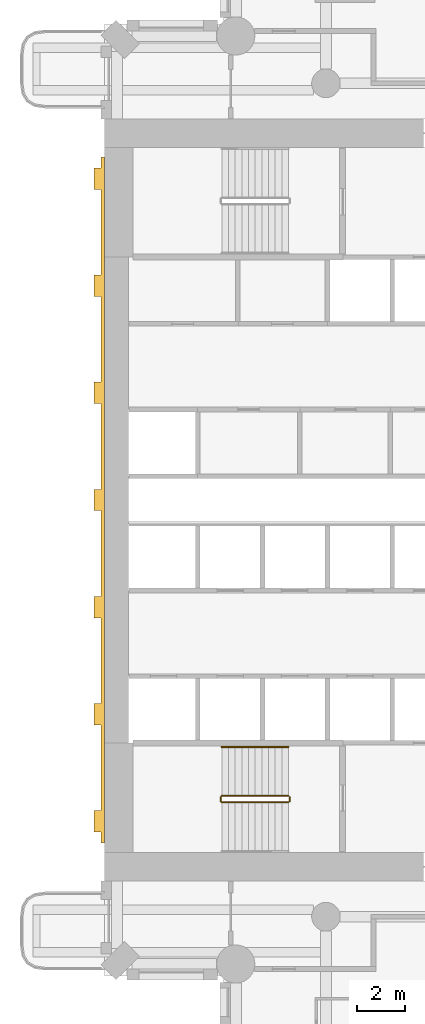
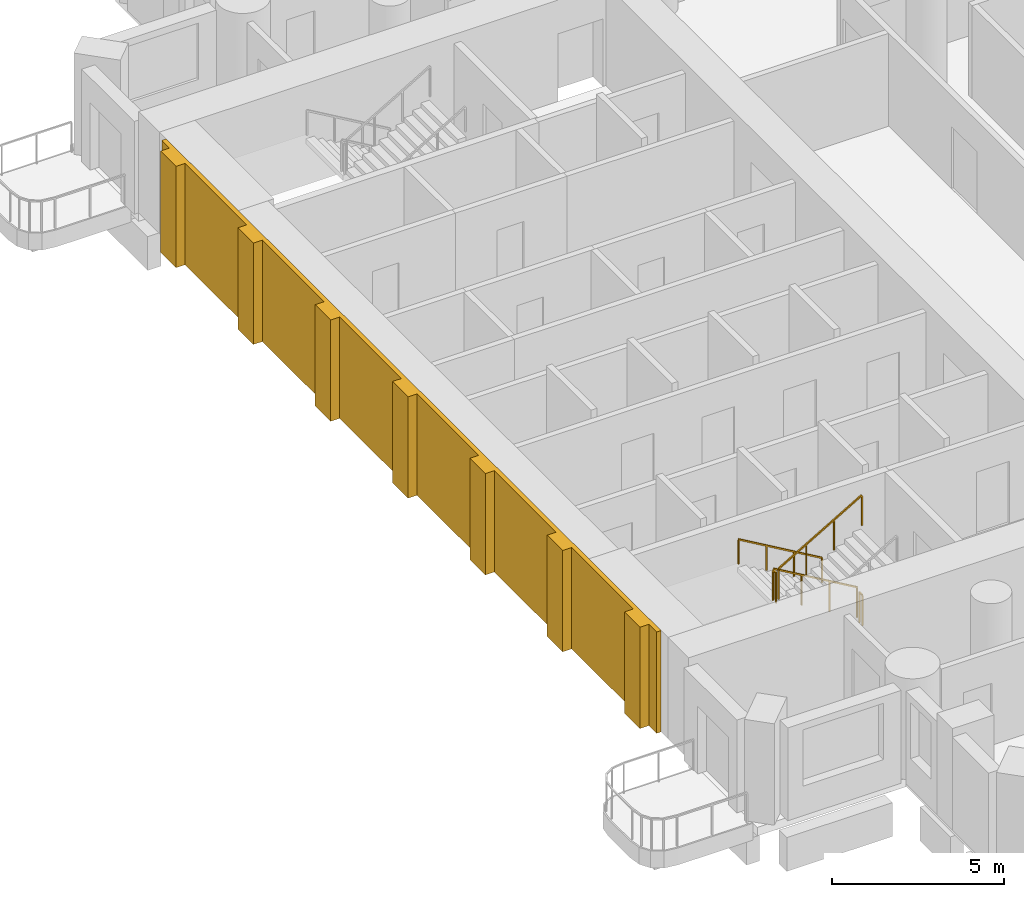
# One storey, part 14 of 20: 5 railings, 1 covering.
"""IFC4 building model written with IfcOpenShell, lengths in metres."""

from ifc_helpers import new_model, si_unit, direction, frame, origin, origin_2d, place, context, subcontext, project, spatial, polyline, rectangle, outline, extrude, material, layer, layer_set, type_object, element, save


model = new_model("IFC4")

# Units and contexts
model_context = context("Model", 3, precision=1e-05, world=origin(), true_north=direction((0.0, 1.0)))
body_context = subcontext(model_context, "Body", "Model", "MODEL_VIEW")
ifc_project = project(units=[si_unit("LENGTHUNIT", "METRE"), si_unit("AREAUNIT", "SQUARE_METRE"), si_unit("VOLUMEUNIT", "CUBIC_METRE"), si_unit("PLANEANGLEUNIT", "RADIAN"), si_unit("MASSUNIT", "GRAM", prefix="KILO")], contexts=[model_context])

# Site, building, storey
site_placement = place(None, origin())
site = spatial("IfcSite", under=ifc_project, at=site_placement, CompositionType="ELEMENT")
building_placement = place(site_placement, origin())
building = spatial("IfcBuilding", under=site, at=building_placement, Name="Cypress Arch Tower", CompositionType="ELEMENT")
storey_placement = place(building_placement, frame((0.0, 0.0, 95.10009765625)))
storey = spatial("IfcBuildingStorey", under=building, at=storey_placement, Name="L18", CompositionType="ELEMENT", Elevation=95.10009765625)

# Railings
ifc_material_1 = material(Name="Black powder-coated steel square bar 48 mm", Category="steel")
railing_type_1 = type_object("IfcRailingType", Name="Stair handrail HR1", PredefinedType="HANDRAIL", material=ifc_material_1)
railing_1_placement = place(storey_placement, frame((-22.27490234375, -10.375, 0.16357421875)))
element("IfcRailing", 1, at=railing_1_placement, inside=storey, type_object=railing_type_1, Name="L18 A stair handrail 1", PredefinedType="HANDRAIL", context=body_context, shape_type="SweptSolid", body=[
    extrude(rectangle(XDim=0.048095703125, YDim=0.048095703125, at=origin_2d()), frame((0.0, 0.0, 0.8759765625), z_axis=(-0.863393664356, 0.0, 0.504530851732), x_axis=(0.0, -1.0, 0.0)), (0.0, 0.0, 1.0), 3.2431640625),
    extrude(rectangle(XDim=0.0419921875, YDim=0.0419921875, at=origin_2d()), origin(), (0.0, 0.0, 1.0), 0.851806640625),
    extrude(rectangle(XDim=0.0419921875, YDim=0.0419921875, at=origin_2d()), frame((-0.933349609375, 0.0, 0.54541015625)), (0.0, 0.0, 1.0), 0.851806640625),
    extrude(rectangle(XDim=0.0419921875, YDim=0.0419921875, at=origin_2d()), frame((-1.86669921875, 0.0, 1.0908203125)), (0.0, 0.0, 1.0), 0.851806640625),
    extrude(rectangle(XDim=0.0419921875, YDim=0.0419921875, at=origin_2d()), frame((-2.800048828125, 0.0, 1.63623046875)), (0.0, 0.0, 1.0), 0.851806640625),
])
ifc_material_2 = material(Name="Black powder-coated steel balusters", Category="steel")
railing_type_2 = type_object("IfcRailingType", Name="Stair well guard G1", PredefinedType="GUARDRAIL", material=ifc_material_2)
railing_2_placement = place(storey_placement, frame((-22.27490234375, -12.425048828125, 0.16357421875)))
element("IfcRailing", 2, at=railing_2_placement, inside=storey, type_object=railing_type_2, Name="L18 A stair guard 1", PredefinedType="GUARDRAIL", context=body_context, shape_type="SweptSolid", body=[
    extrude(rectangle(XDim=0.048095703125, YDim=0.048095703125, at=origin_2d()), frame((0.0, 0.0, 1.076171875), z_axis=(-0.863393664356, 0.0, 0.504530851732), x_axis=(0.0, -1.0, 0.0)), (0.0, 0.0, 1.0), 3.2431640625),
    extrude(rectangle(XDim=0.0419921875, YDim=0.0419921875, at=origin_2d()), origin(), (0.0, 0.0, 1.0), 1.052001953125),
    extrude(rectangle(XDim=0.0419921875, YDim=0.0419921875, at=origin_2d()), frame((-0.933349609375, 0.0, 0.54541015625)), (0.0, 0.0, 1.0), 1.052001953125),
    extrude(rectangle(XDim=0.0419921875, YDim=0.0419921875, at=origin_2d()), frame((-1.86669921875, 0.0, 1.0908203125)), (0.0, 0.0, 1.0), 1.052001953125),
    extrude(rectangle(XDim=0.0419921875, YDim=0.0419921875, at=origin_2d()), frame((-2.800048828125, 0.0, 1.63623046875)), (0.0, 0.0, 1.0), 1.052001953125),
])
railing_3_placement = place(storey_placement, frame((-25.125, -12.47509765625, 1.7998046875)))
element("IfcRailing", 3, at=railing_3_placement, inside=storey, type_object=railing_type_2, Name="L18 A stair guard 2", PredefinedType="GUARDRAIL", context=body_context, shape_type="SweptSolid", body=[
    extrude(rectangle(XDim=0.048095703125, YDim=0.048095703125, at=origin_2d()), frame((0.0, 0.0, 1.076171875), z_axis=(0.0, -1.0, 0.0), x_axis=(1.0, 0.0, 0.0)), (0.0, 0.0, 1.0), 0.1748046875),
    extrude(rectangle(XDim=0.0419921875, YDim=0.0419921875, at=origin_2d()), origin(), (0.0, 0.0, 1.0), 1.052001953125),
    extrude(rectangle(XDim=0.0419921875, YDim=0.0419921875, at=origin_2d()), frame((0.0, -0.1748046875, 0.0)), (0.0, 0.0, 1.0), 1.052001953125),
])
railing_4_placement = place(storey_placement, frame((-25.074951171875, -12.699951171875, 1.963623046875)))
element("IfcRailing", 4, at=railing_4_placement, inside=storey, type_object=railing_type_2, Name="L18 A stair guard 3", PredefinedType="GUARDRAIL", context=body_context, shape_type="SweptSolid", body=[
    extrude(rectangle(XDim=0.048095703125, YDim=0.048095703125, at=origin_2d()), frame((0.0, 0.0, 1.076171875), z_axis=(0.863393664356, 0.0, 0.504530851732), x_axis=(0.0, 1.0, 0.0)), (0.0, 0.0, 1.0), 3.2431640625),
    extrude(rectangle(XDim=0.0419921875, YDim=0.0419921875, at=origin_2d()), origin(), (0.0, 0.0, 1.0), 1.052001953125),
    extrude(rectangle(XDim=0.0419921875, YDim=0.0419921875, at=origin_2d()), frame((0.933349609375, 0.0, 0.54541015625)), (0.0, 0.0, 1.0), 1.052001953125),
    extrude(rectangle(XDim=0.0419921875, YDim=0.0419921875, at=origin_2d()), frame((1.86669921875, 0.0, 1.0908203125)), (0.0, 0.0, 1.0), 1.052001953125),
    extrude(rectangle(XDim=0.0419921875, YDim=0.0419921875, at=origin_2d()), frame((2.800048828125, 0.0, 1.63623046875)), (0.0, 0.0, 1.0), 1.052001953125),
])
railing_5_placement = place(storey_placement, frame((-22.22509765625, -12.47509765625, 0.0)))
element("IfcRailing", 5, at=railing_5_placement, inside=storey, type_object=railing_type_2, Name="L18 A stair guard 4", PredefinedType="GUARDRAIL", context=body_context, shape_type="SweptSolid", body=[
    extrude(rectangle(XDim=0.048095703125, YDim=0.048095703125, at=origin_2d()), frame((0.0, 0.0, 1.076171875), z_axis=(0.0, -1.0, 0.0), x_axis=(1.0, 0.0, 0.0)), (0.0, 0.0, 1.0), 0.1748046875),
    extrude(rectangle(XDim=0.0419921875, YDim=0.0419921875, at=origin_2d()), origin(), (0.0, 0.0, 1.0), 1.052001953125),
    extrude(rectangle(XDim=0.0419921875, YDim=0.0419921875, at=origin_2d()), frame((0.0, -0.1748046875, 0.0)), (0.0, 0.0, 1.0), 1.052001953125),
])

# Covering
ifc_material_3 = material(Name="Brick (red buff blend)", Category="masonry")
ifc_layer = layer(ifc_material_3, 0.449951171875)
ifc_layer_set = layer_set([ifc_layer], Name="West face brick piers WP450")
covering_type = type_object("IfcCoveringType", Name="West face brick piers WP450", PredefinedType="CLADDING", material=ifc_layer_set)
covering_placement = place(storey_placement, origin())
element("IfcCovering", 6, at=covering_placement, inside=storey, type_object=covering_type, Name="West face brick piers L18", PredefinedType="CLADDING", context=body_context, shape_type="SweptSolid", body=[
    extrude(outline(polyline([(-30.14990234375, -13.050048828125), (-30.14990234375, -9.449951171875), (-30.449951171875, -9.449951171875), (-30.449951171875, -8.550048828125), (-30.14990234375, -8.550048828125), (-30.14990234375, -4.949951171875), (-30.449951171875, -4.949951171875), (-30.449951171875, -4.050048828125), (-30.14990234375, -4.050048828125), (-30.14990234375, -0.449951171875), (-30.449951171875, -0.449951171875), (-30.449951171875, 0.449951171875), (-30.14990234375, 0.449951171875), (-30.14990234375, 4.050048828125), (-30.449951171875, 4.050048828125), (-30.449951171875, 4.949951171875), (-30.14990234375, 4.949951171875), (-30.14990234375, 8.550048828125), (-30.449951171875, 8.550048828125), (-30.449951171875, 9.449951171875), (-30.14990234375, 9.449951171875), (-30.14990234375, 13.050048828125), (-30.449951171875, 13.050048828125), (-30.449951171875, 13.949951171875), (-30.14990234375, 13.949951171875), (-30.14990234375, 14.39990234375), (-30.0, 14.39990234375), (-30.0, -14.39990234375), (-30.14990234375, -14.39990234375), (-30.14990234375, -13.949951171875), (-30.449951171875, -13.949951171875), (-30.449951171875, -13.050048828125), (-30.14990234375, -13.050048828125)])), origin(), (0.0, 0.0, 1.0), 3.599853515625),
])

save(model, "model.ifc")
